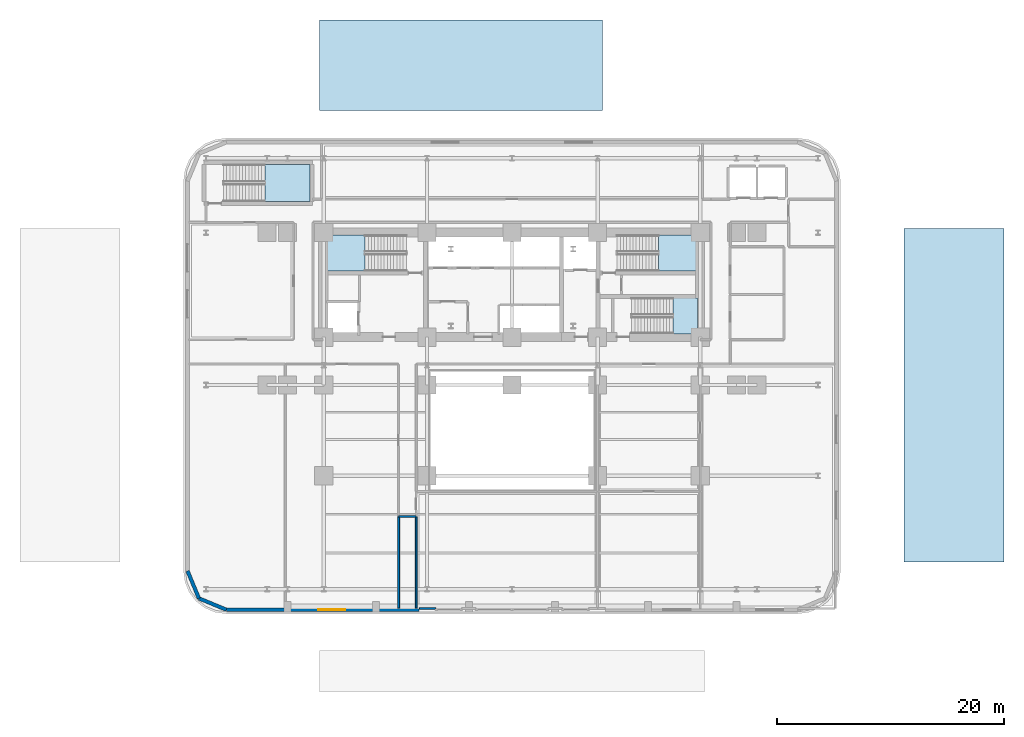
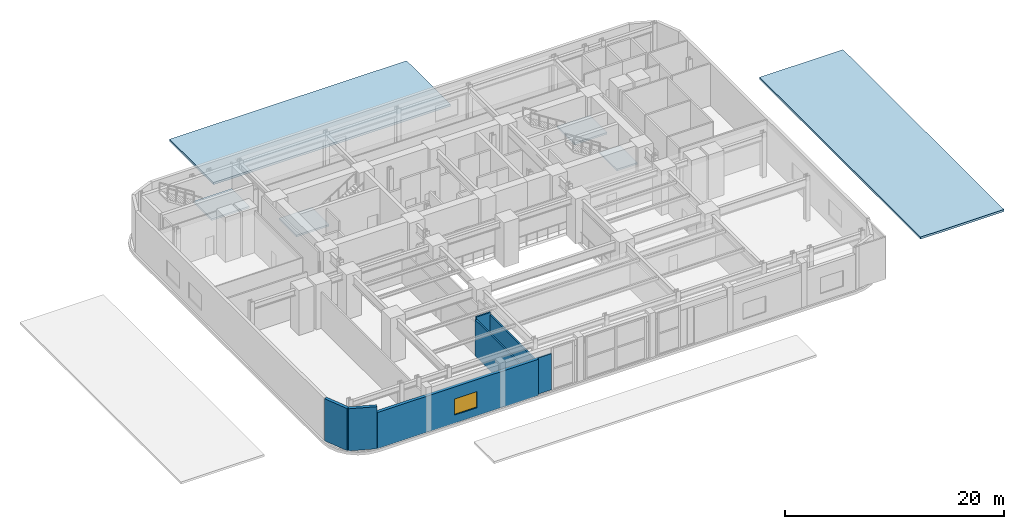
# One storey, part 4 of 12: 7 walls, 6 slabs, 1 window, 1 opening, 4 elements without a shape of their own.
"""IFC4 building model written with IfcOpenShell, lengths in metres."""

from ifc_helpers import new_model, si_unit, direction, frame, frame_2d, origin, place, context, subcontext, project, spatial, polyline, rectangle, outline, extrude, material, layer, layer_set, type_object, element, fill, aggregate, save


model = new_model("IFC4")

# Units and contexts
model_context = context("Model", 3, precision=1e-05, world=origin(), true_north=direction((0.0, 1.0)))
body_context = subcontext(model_context, "Body", "Model", "MODEL_VIEW")
ifc_project = project(units=[si_unit("LENGTHUNIT", "METRE"), si_unit("AREAUNIT", "SQUARE_METRE"), si_unit("VOLUMEUNIT", "CUBIC_METRE"), si_unit("PLANEANGLEUNIT", "RADIAN"), si_unit("MASSUNIT", "GRAM", prefix="KILO")], contexts=[model_context])

# Site, building, storey
site_placement = place(None, origin())
site = spatial("IfcSite", under=ifc_project, at=site_placement, CompositionType="ELEMENT")
building_placement = place(site_placement, origin())
building = spatial("IfcBuilding", under=site, at=building_placement, Name="Zarnavel Station Tower", CompositionType="ELEMENT")
storey_placement = place(building_placement, frame((0.0, 0.0, 5.39990234375)))
storey = spatial("IfcBuildingStorey", under=building, at=storey_placement, Name="L02", CompositionType="ELEMENT", Elevation=5.39990234375)

# Slabs
ifc_material_1 = material(Name="Concrete C45/55", Category="concrete")
ifc_layer_1 = layer(ifc_material_1, 0.239990234375)
ifc_layer_set_1 = layer_set([ifc_layer_1], Name="SL_ROF_240")
slab_type_1 = type_object("IfcSlabType", Name="SL_ROF_240", PredefinedType="ROOF", material=ifc_layer_set_1)
slab_1_placement = place(storey_placement, frame((0.0, 0.0, -0.239990234375)))
element("IfcSlab", 1, at=slab_1_placement, inside=storey, type_object=slab_type_1, Name="East Forecourt Bus Canopy Roof Slab", PredefinedType="ROOF", context=body_context, shape_type="SweptSolid", body=[
    extrude(outline(polyline([(63.39990234375, 8.0), (72.199951171875, 8.0), (72.199951171875, 37.39990234375), (63.39990234375, 37.39990234375), (63.39990234375, 8.0)])), origin(), (0.0, 0.0, 1.0), 0.239990234375),
])
slab_2_placement = place(storey_placement, frame((0.0, 0.0, -0.239990234375)))
element("IfcSlab", 2, at=slab_2_placement, inside=storey, type_object=slab_type_1, Name="North Residential Porte-Cochere Roof Slab", PredefinedType="ROOF", context=body_context, shape_type="SweptSolid", body=[
    extrude(outline(polyline([(11.800048828125, 47.800048828125), (36.800048828125, 47.800048828125), (36.800048828125, 55.800048828125), (11.800048828125, 55.800048828125), (11.800048828125, 47.800048828125)])), origin(), (0.0, 0.0, 1.0), 0.239990234375),
])

# Stair, slab
ifc_material_2 = material(Name="Concrete C45/55", Category="concrete")
stair_type_1 = type_object("IfcStairType", Name="ST_CORE_150", PredefinedType="HALF_TURN_STAIR", material=ifc_material_2)
stair_1_placement = place(storey_placement, origin())
stair_1 = element("IfcStair", 3, at=stair_1_placement, inside=storey, type_object=stair_type_1, Name="L02 Core Exit Stair ST1", PredefinedType="HALF_TURN_STAIR")
ifc_material_3 = material(Name="Concrete C45/55", Category="concrete")
ifc_layer_2 = layer(ifc_material_3, 0.199951171875)
ifc_layer_set_2 = layer_set([ifc_layer_2], Name="SL_STAIR_LAND_200")
slab_type_2 = type_object("IfcSlabType", Name="SL_STAIR_LAND_200", PredefinedType="LANDING", material=ifc_layer_set_2)
slab_3_placement = place(storey_placement, frame((0.0, 0.0, 2.300048828125)))
slab_3 = element("IfcSlab", 4, at=slab_3_placement, type_object=slab_type_2, Name="ST1 landing 1", PredefinedType="LANDING", context=body_context, shape_type="SweptSolid", body=[
    extrude(outline(polyline([(15.840087890625, 36.820068359375), (12.39990234375, 36.820068359375), (12.39990234375, 33.659912109375), (15.840087890625, 33.659912109375), (15.840087890625, 36.820068359375)])), origin(), (0.0, 0.0, 1.0), 0.199951171875),
])
aggregate(stair_1, [slab_3])

stair_2_placement = place(storey_placement, origin())
stair_2 = element("IfcStair", 5, at=stair_2_placement, inside=storey, type_object=stair_type_1, Name="L02 Core Exit Stair ST2", PredefinedType="HALF_TURN_STAIR")
slab_4_placement = place(storey_placement, frame((0.0, 0.0, 2.300048828125)))
slab_4 = element("IfcSlab", 6, at=slab_4_placement, type_object=slab_type_2, Name="ST2 landing 1", PredefinedType="LANDING", context=body_context, shape_type="SweptSolid", body=[
    extrude(outline(polyline([(41.719970703125, 33.659912109375), (45.159912109375, 33.659912109375), (45.159912109375, 36.820068359375), (41.719970703125, 36.820068359375), (41.719970703125, 33.659912109375)])), origin(), (0.0, 0.0, 1.0), 0.199951171875),
])
aggregate(stair_2, [slab_4])

stair_3_placement = place(storey_placement, origin())
stair_3 = element("IfcStair", 7, at=stair_3_placement, inside=storey, type_object=stair_type_1, Name="L02 Core Exit Stair ST3", PredefinedType="HALF_TURN_STAIR")
slab_5_placement = place(storey_placement, frame((0.0, 0.0, 2.300048828125)))
slab_5 = element("IfcSlab", 8, at=slab_5_placement, type_object=slab_type_2, Name="ST3 landing 1", PredefinedType="LANDING", context=body_context, shape_type="SweptSolid", body=[
    extrude(outline(polyline([(42.989990234375, 28.1201171875), (45.14990234375, 28.1201171875), (45.14990234375, 31.280029296875), (42.989990234375, 31.280029296875), (42.989990234375, 28.1201171875)])), origin(), (0.0, 0.0, 1.0), 0.199951171875),
])
aggregate(stair_3, [slab_5])

ifc_material_4 = material(Name="Concrete C45/55", Category="concrete")
stair_type_2 = type_object("IfcStairType", Name="ST_POD_155", PredefinedType="HALF_TURN_STAIR", material=ifc_material_4)
stair_4_placement = place(storey_placement, origin())
stair_4 = element("IfcStair", 9, at=stair_4_placement, inside=storey, type_object=stair_type_2, Name="L02 Core Exit Stair ST4", PredefinedType="HALF_TURN_STAIR")
slab_6_placement = place(storey_placement, frame((0.0, 0.0, 2.300048828125)))
slab_6 = element("IfcSlab", 10, at=slab_6_placement, type_object=slab_type_2, Name="ST4 landing 1", PredefinedType="LANDING", context=body_context, shape_type="SweptSolid", body=[
    extrude(outline(polyline([(6.989990234375, 39.800048828125), (11.0, 39.800048828125), (11.0, 43.06005859375), (6.989990234375, 43.06005859375), (6.989990234375, 39.800048828125)])), origin(), (0.0, 0.0, 1.0), 0.199951171875),
])
aggregate(stair_4, [slab_6])

# Walls
ifc_material_5 = material(Name="Precast concrete C45/55 (Podium Basalt Frame)", Category="masonry")
ifc_layer_3 = layer(ifc_material_5, 0.320068359375)
ifc_layer_set_3 = layer_set([ifc_layer_3], Name="EW_BASALT_320")
wall_type_1 = type_object("IfcWallType", Name="EW_BASALT_320", PredefinedType="SOLIDWALL", material=ifc_layer_set_3)
wall_1_placement = place(storey_placement, frame((1.181640625, 4.78173828125, 0.0), z_axis=(0.0, 0.0, 1.0), x_axis=(-0.382700522567, 0.923872453333, 0.0)))
element("IfcWall", 11, at=wall_1_placement, inside=storey, type_object=wall_type_1, Name="L02 Exterior Basalt Masonry Frame Wall 10", PredefinedType="SOLIDWALL", context=body_context, shape_type="SweptSolid", body=[
    extrude(rectangle(XDim=2.617431640625, YDim=0.320068359375, at=frame_2d((1.30859375, 0.0))), origin(), (0.0, 0.0, 1.0), 4.7001953125),
])
wall_2_placement = place(storey_placement, frame((3.60009765625, 3.780029296875, 0.0), z_axis=(0.0, 0.0, 1.0), x_axis=(-0.923886112352, 0.382667546838, 0.0)))
element("IfcWall", 12, at=wall_2_placement, inside=storey, type_object=wall_type_1, Name="L02 Exterior Basalt Masonry Frame Wall 11", PredefinedType="SOLIDWALL", context=body_context, shape_type="SweptSolid", body=[
    extrude(rectangle(XDim=2.61767578125, YDim=0.320068359375, at=frame_2d((1.308837890625, 0.0))), origin(), (0.0, 0.0, 1.0), 4.7001953125),
])

# Wall, opening, window
wall_3_placement = place(storey_placement, frame((20.60009765625, 3.780029296875, 0.0), z_axis=(0.0, 0.0, 1.0), x_axis=(-1.0, 0.0, 0.0)))
wall_3 = element("IfcWall", 13, at=wall_3_placement, inside=storey, type_object=wall_type_1, Name="L02 South West Masonry Facade Wall", PredefinedType="SOLIDWALL", context=body_context, shape_type="SweptSolid", body=[
    extrude(rectangle(XDim=17.0, YDim=0.320068359375, at=frame_2d((8.5, 0.0))), origin(), (0.0, 0.0, 1.0), 4.030029296875),
])
opening_placement = place(wall_3_placement, frame((6.5, 0.0, 0.89990234375)))
opening = element("IfcOpeningElement", 14, at=opening_placement, cuts=wall_3, Name="Opening WN03", PredefinedType="OPENING", context=body_context, shape_type="SweptSolid", body=[
    extrude(rectangle(XDim=2.39990234375, YDim=1.800048828125, at=frame_2d((1.199951171875, 0.89990234375))), frame((0.0, 0.169921875, 0.0), z_axis=(0.0, -1.0, 0.0), x_axis=(1.0, 0.0, 0.0)), (0.0, 0.0, 1.0), 0.340087890625),
])
ifc_material_6 = material(Name="Thermally Broken Black Aluminium and Low-E Dark Glass", Category="aluminium")
window_type = type_object("IfcWindowType", Name="WN_2400x1800", PartitioningType="TRIPLE_PANEL_VERTICAL", PredefinedType="WINDOW", material=ifc_material_6)
window_placement = place(opening_placement, origin())
window = element("IfcWindow", 15, at=window_placement, inside=storey, type_object=window_type, Name="L02 Recessed Facade Window 01", OverallHeight=1.800048828125, OverallWidth=2.39990234375, PartitioningType="SINGLE_PANEL", PredefinedType="WINDOW", context=body_context, shape_type="SweptSolid", body=[
    extrude(rectangle(XDim=2.39990234375, YDim=1.800048828125, at=frame_2d((1.199951171875, 0.89990234375))), frame((0.0, 0.030029296875, 0.0), z_axis=(0.0, -1.0, 0.0), x_axis=(1.0, 0.0, 0.0)), (0.0, 0.0, 1.0), 0.06005859375),
])
fill(opening, window)

# Walls
ifc_material_7 = material(Name="Gypsum Twin-Stud Acoustic Fire Partition", Category="concrete")
ifc_layer_4 = layer(ifc_material_7, 0.159912109375)
ifc_layer_set_4 = layer_set([ifc_layer_4], Name="PT_DEMISE_160")
wall_type_2 = type_object("IfcWallType", Name="PT_DEMISE_160", PredefinedType="PARTITIONING", material=ifc_layer_set_4)
wall_4_placement = place(storey_placement, frame((18.830078125, 12.0, 0.0), z_axis=(0.0, 0.0, 1.0), x_axis=(1.0, 0.0, 0.0)))
element("IfcWall", 16, at=wall_4_placement, inside=storey, type_object=wall_type_2, Name="L02 Enclosure Wall PCOR-AW", PredefinedType="PARTITIONING", context=body_context, shape_type="SweptSolid", body=[
    extrude(rectangle(XDim=1.489990234375, YDim=0.159912109375, at=frame_2d((0.7451171875, 0.0))), origin(), (0.0, 0.0, 1.0), 4.320068359375),
])
wall_5_placement = place(storey_placement, frame((18.800048828125, 3.909912109375, 0.0), z_axis=(0.0, 0.0, 1.0), x_axis=(0.0, 1.0, 0.0)))
element("IfcWall", 17, at=wall_5_placement, inside=storey, type_object=wall_type_2, Name="L02 Enclosure Wall MEZZ", PredefinedType="PARTITIONING", context=body_context, shape_type="SweptSolid", body=[
    extrude(rectangle(XDim=8.06005859375, YDim=0.159912109375, at=frame_2d((4.030029296875, 0.0))), origin(), (0.0, 0.0, 1.0), 4.030029296875),
])
wall_6_placement = place(storey_placement, frame((20.6298828125, 3.8798828125, 0.0), z_axis=(0.0, 0.0, 1.0), x_axis=(1.0, 0.0, 0.0)))
element("IfcWall", 18, at=wall_6_placement, inside=storey, type_object=wall_type_2, Name="L02 Enclosure Wall CAFE", PredefinedType="PARTITIONING", context=body_context, shape_type="SweptSolid", body=[
    extrude(rectangle(XDim=1.440185546875, YDim=0.159912109375, at=frame_2d((0.72021484375, 0.0))), origin(), (0.0, 0.0, 1.0), 4.030029296875),
])
wall_7_placement = place(storey_placement, frame((20.35009765625, 3.909912109375, 0.0), z_axis=(0.0, 0.0, 1.0), x_axis=(0.0, 1.0, 0.0)))
element("IfcWall", 19, at=wall_7_placement, inside=storey, type_object=wall_type_2, Name="L02 Enclosure Wall CAFE", PredefinedType="PARTITIONING", context=body_context, shape_type="SweptSolid", body=[
    extrude(rectangle(XDim=8.06005859375, YDim=0.159912109375, at=frame_2d((4.030029296875, 0.0))), origin(), (0.0, 0.0, 1.0), 4.030029296875),
])

save(model, "model.ifc")
